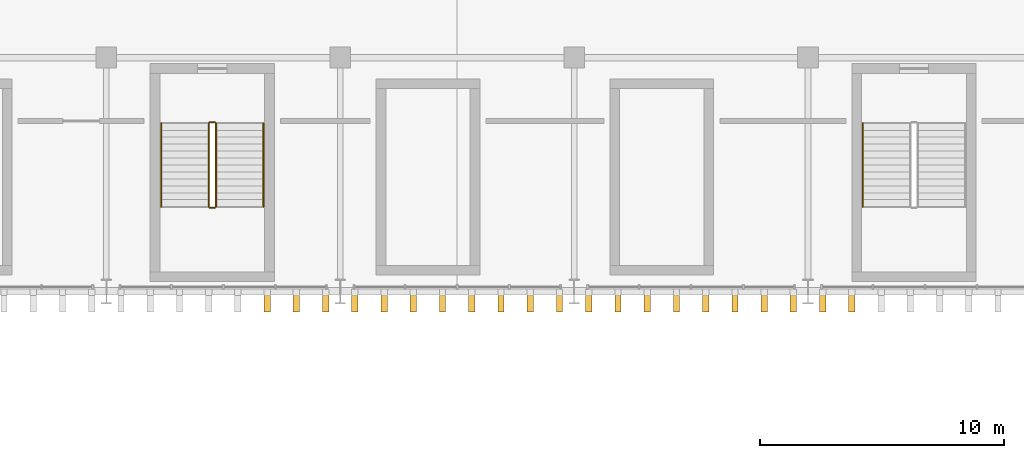
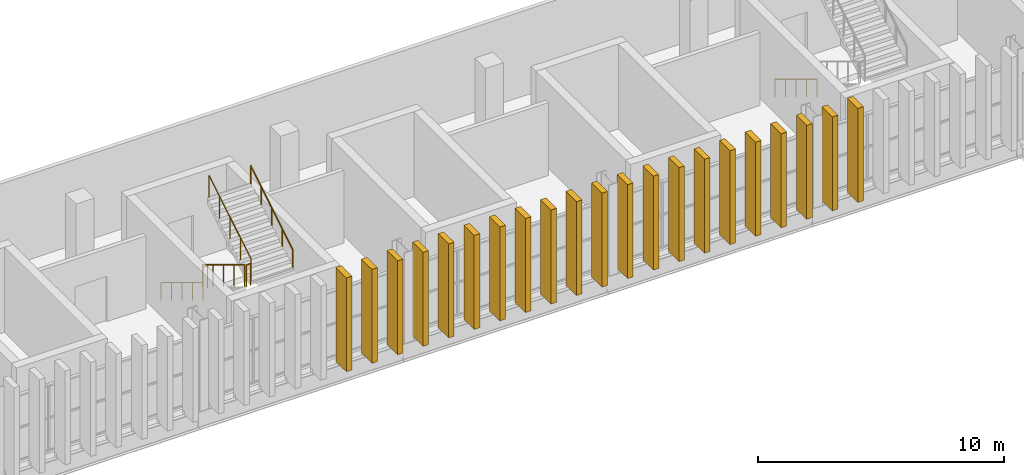
# One storey, part 77 of 92: 21 coverings, 7 railings.
"""IFC4 building model written with IfcOpenShell, lengths in metres."""

from ifc_helpers import new_model, si_unit, direction, frame, origin, origin_2d, place, context, subcontext, project, spatial, rectangle, circle, extrude, material, material_profile, profile_set, type_object, element, save


model = new_model("IFC4")

# Units and contexts
model_context = context("Model", 3, precision=1e-05, world=origin(), true_north=direction((0.0, 1.0)))
body_context = subcontext(model_context, "Body", "Model", "MODEL_VIEW")
ifc_project = project(units=[si_unit("LENGTHUNIT", "METRE"), si_unit("AREAUNIT", "SQUARE_METRE"), si_unit("VOLUMEUNIT", "CUBIC_METRE"), si_unit("PLANEANGLEUNIT", "RADIAN"), si_unit("MASSUNIT", "GRAM", prefix="KILO")], contexts=[model_context])

# Site, building, storey
site_placement = place(None, origin())
site = spatial("IfcSite", under=ifc_project, at=site_placement, CompositionType="ELEMENT")
building_placement = place(site_placement, origin())
building = spatial("IfcBuilding", under=site, at=building_placement, Name="Caelomonte Colonnade Arena", CompositionType="ELEMENT")
storey_placement = place(building_placement, frame((0.0, 0.0, 9.60009765625)))
storey = spatial("IfcBuildingStorey", under=building, at=storey_placement, Name="L02", CompositionType="ELEMENT", Elevation=9.60009765625)

# Coverings
ifc_material_1 = material(Name="Precast travertine cladding", Category="masonry")
ifc_material_profile = material_profile(ifc_material_1, rectangle(XDim=0.260009765625, YDim=0.85009765625, at=origin_2d()), Name="FIN260X850")
ifc_profile_set = profile_set([ifc_material_profile], Name="Precast travertine cladding")
covering_type = type_object("IfcCoveringType", Name="ENV-FN-SHAFT", PredefinedType="CLADDING", material=ifc_profile_set)
for number, where, z_axis, x_axis, name in (
    (1, (102.60009765625, 18.779052734375, -0.16015625), (0.0, 0.0, 1.0), (-1.0, 0.0, 0.0), "V1 L02 classical travertine vertical fin 259"),
    (2, (103.800048828125, 18.779052734375, -0.16015625), (0.0, 0.0, 1.0), (-1.0, 0.0, 0.0), "V1 L02 classical travertine vertical fin 260"),
    (3, (105.0, 18.779052734375, -0.16015625), (0.0, 0.0, 1.0), (-1.0, 0.0, 0.0), "V1 L02 classical travertine vertical fin 261"),
    (4, (106.199951171875, 18.779052734375, -0.16015625), (0.0, 0.0, 1.0), (-1.0, 0.0, 0.0), "V1 L02 classical travertine vertical fin 262"),
    (5, (107.39990234375, 18.779052734375, -0.16015625), (0.0, 0.0, 1.0), (-1.0, 0.0, 0.0), "V1 L02 classical travertine vertical fin 263"),
    (6, (108.60009765625, 18.779052734375, -0.16015625), (0.0, 0.0, 1.0), (-1.0, 0.0, 0.0), "V1 L02 classical travertine vertical fin 264"),
    (7, (109.800048828125, 18.779052734375, -0.16015625), (0.0, 0.0, 1.0), (-1.0, 0.0, 0.0), "V1 L02 classical travertine vertical fin 265"),
    (8, (111.0, 18.779052734375, -0.16015625), (0.0, 0.0, 1.0), (-1.0, 0.0, 0.0), "V1 L02 classical travertine vertical fin 266"),
    (9, (112.199951171875, 18.779052734375, -0.16015625), (0.0, 0.0, 1.0), (-1.0, 0.0, 0.0), "V1 L02 classical travertine vertical fin 267"),
    (10, (113.39990234375, 18.779052734375, -0.16015625), (0.0, 0.0, 1.0), (-1.0, 0.0, 0.0), "V1 L02 classical travertine vertical fin 268"),
    (11, (114.60009765625, 18.779052734375, -0.16015625), (0.0, 0.0, 1.0), (-1.0, 0.0, 0.0), "V1 L02 classical travertine vertical fin 269"),
    (12, (115.800048828125, 18.779052734375, -0.16015625), (0.0, 0.0, 1.0), (-1.0, 0.0, 0.0), "V1 L02 classical travertine vertical fin 270"),
    (13, (117.0, 18.779052734375, -0.16015625), (0.0, 0.0, 1.0), (-1.0, 0.0, 0.0), "V1 L02 classical travertine vertical fin 271"),
    (14, (118.199951171875, 18.779052734375, -0.16015625), (0.0, 0.0, 1.0), (-1.0, 0.0, 0.0), "V1 L02 classical travertine vertical fin 272"),
    (15, (119.39990234375, 18.779052734375, -0.16015625), (0.0, 0.0, 1.0), (-1.0, 0.0, 0.0), "V1 L02 classical travertine vertical fin 273"),
    (16, (120.60009765625, 18.779052734375, -0.16015625), (0.0, 0.0, 1.0), (-1.0, 0.0, 0.0), "V1 L02 classical travertine vertical fin 274"),
    (17, (121.800048828125, 18.779052734375, -0.16015625), (0.0, 0.0, 1.0), (-1.0, 0.0, 0.0), "V1 L02 classical travertine vertical fin 275"),
    (18, (123.0, 18.779052734375, -0.16015625), (0.0, 0.0, 1.0), (-1.0, 0.0, 0.0), "V1 L02 classical travertine vertical fin 276"),
    (19, (124.199951171875, 18.779052734375, -0.16015625), (0.0, 0.0, 1.0), (-1.0, 0.0, 0.0), "V1 L02 classical travertine vertical fin 277"),
    (20, (125.39990234375, 18.779052734375, -0.16015625), (0.0, 0.0, 1.0), (-1.0, 0.0, 0.0), "V1 L02 classical travertine vertical fin 278"),
    (21, (126.60009765625, 18.779052734375, -0.16015625), (0.0, 0.0, 1.0), (-1.0, 0.0, 0.0), "V1 L02 classical travertine vertical fin 279"),
):
    element("IfcCovering", number, at=place(storey_placement, frame(where, z_axis=z_axis, x_axis=x_axis)), inside=storey, type_object=covering_type, Name=name, PredefinedType="CLADDING", context=body_context, shape_type="SweptSolid", body=[
        extrude(rectangle(XDim=0.260009765625, YDim=0.85009765625, at=origin_2d()), origin(), (0.0, 0.0, 1.0), 4.66015625),
    ])

# Railings
ifc_material_2 = material(Name="Painted galvanized steel stair guard", Category="steel")
railing_type_1 = type_object("IfcRailingType", Name="INT-RL-GRD", PredefinedType="GUARDRAIL", material=ifc_material_2)
railing_1_placement = place(storey_placement, frame((100.199951171875, 26.10009765625, 0.173095703125)))
element("IfcRailing", 22, at=railing_1_placement, inside=storey, type_object=railing_type_1, Name="L02 ST-12 stair guard 1", PredefinedType="GUARDRAIL", context=body_context, shape_type="SweptSolid", body=[
    extrude(circle(Radius=0.02392578125, at=origin_2d()), frame((0.0, 0.0, 1.076171875), z_axis=(0.0, -0.854745945586, 0.519046595696), x_axis=(1.0, 0.0, 0.0)), (0.0, 0.0, 1.0), 4.00146484375),
    extrude(circle(Radius=0.02099609375, at=origin_2d()), origin(), (0.0, 0.0, 1.0), 1.048095703125),
    extrude(circle(Radius=0.02099609375, at=origin_2d()), frame((0.0, -0.85498046875, 0.519287109375)), (0.0, 0.0, 1.0), 1.048095703125),
    extrude(circle(Radius=0.02099609375, at=origin_2d()), frame((0.0, -1.7099609375, 1.03857421875)), (0.0, 0.0, 1.0), 1.048095703125),
    extrude(circle(Radius=0.02099609375, at=origin_2d()), frame((0.0, -2.565185546875, 1.5576171875)), (0.0, 0.0, 1.0), 1.048095703125),
    extrude(circle(Radius=0.02099609375, at=origin_2d()), frame((0.0, -3.420166015625, 2.076904296875)), (0.0, 0.0, 1.0), 1.048095703125),
])
railing_2_placement = place(storey_placement, frame((100.25, 22.6298828125, 2.25)))
element("IfcRailing", 23, at=railing_2_placement, inside=storey, type_object=railing_type_1, Name="L02 ST-12 stair guard 2", PredefinedType="GUARDRAIL", context=body_context, shape_type="SweptSolid", body=[
    extrude(circle(Radius=0.02392578125, at=origin_2d()), frame((0.0, 0.0, 1.076171875), z_axis=(1.0, 0.0, 0.0), x_axis=(0.0, 1.0, 0.0)), (0.0, 0.0, 1.0), 0.199951171875),
    extrude(circle(Radius=0.02099609375, at=origin_2d()), origin(), (0.0, 0.0, 1.0), 1.048095703125),
    extrude(circle(Radius=0.02099609375, at=origin_2d()), frame((0.199951171875, 0.0, 0.0)), (0.0, 0.0, 1.0), 1.048095703125),
])
railing_3_placement = place(storey_placement, frame((100.5, 22.679931640625, 2.423095703125)))
element("IfcRailing", 24, at=railing_3_placement, inside=storey, type_object=railing_type_1, Name="L02 ST-12 stair guard 3", PredefinedType="GUARDRAIL", context=body_context, shape_type="SweptSolid", body=[
    extrude(circle(Radius=0.02392578125, at=origin_2d()), frame((0.0, 0.0, 1.076171875), z_axis=(0.0, 0.854745945586, 0.519046595696), x_axis=(-1.0, 0.0, 0.0)), (0.0, 0.0, 1.0), 4.00146484375),
    extrude(circle(Radius=0.02099609375, at=origin_2d()), origin(), (0.0, 0.0, 1.0), 1.048095703125),
    extrude(circle(Radius=0.02099609375, at=origin_2d()), frame((0.0, 0.85498046875, 0.519287109375)), (0.0, 0.0, 1.0), 1.048095703125),
    extrude(circle(Radius=0.02099609375, at=origin_2d()), frame((0.0, 1.7099609375, 1.03857421875)), (0.0, 0.0, 1.0), 1.048095703125),
    extrude(circle(Radius=0.02099609375, at=origin_2d()), frame((0.0, 2.565185546875, 1.5576171875)), (0.0, 0.0, 1.0), 1.048095703125),
    extrude(circle(Radius=0.02099609375, at=origin_2d()), frame((0.0, 3.420166015625, 2.076904296875)), (0.0, 0.0, 1.0), 1.048095703125),
])
railing_4_placement = place(storey_placement, frame((100.25, 26.14990234375, 0.0)))
element("IfcRailing", 25, at=railing_4_placement, inside=storey, type_object=railing_type_1, Name="L02 ST-12 stair guard 4", PredefinedType="GUARDRAIL", context=body_context, shape_type="SweptSolid", body=[
    extrude(circle(Radius=0.02392578125, at=origin_2d()), frame((0.0, 0.0, 1.076171875), z_axis=(1.0, 0.0, 0.0), x_axis=(0.0, 1.0, 0.0)), (0.0, 0.0, 1.0), 0.199951171875),
    extrude(circle(Radius=0.02099609375, at=origin_2d()), origin(), (0.0, 0.0, 1.0), 1.048095703125),
    extrude(circle(Radius=0.02099609375, at=origin_2d()), frame((0.199951171875, 0.0, 0.0)), (0.0, 0.0, 1.0), 1.048095703125),
])
ifc_material_3 = material(Name="Brushed stainless steel stair handrail", Category="steel")
railing_type_2 = type_object("IfcRailingType", Name="INT-RL-HR", PredefinedType="HANDRAIL", material=ifc_material_3)
railing_5_placement = place(storey_placement, frame((98.25, 26.10009765625, 0.173095703125)))
element("IfcRailing", 26, at=railing_5_placement, inside=storey, type_object=railing_type_2, Name="L02 ST-12 stair handrail 1", PredefinedType="HANDRAIL", context=body_context, shape_type="SweptSolid", body=[
    extrude(circle(Radius=0.02392578125, at=origin_2d()), frame((0.0, 0.0, 0.8759765625), z_axis=(0.0, -0.854745945586, 0.519046595696), x_axis=(1.0, 0.0, 0.0)), (0.0, 0.0, 1.0), 4.00146484375),
    extrude(circle(Radius=0.02099609375, at=origin_2d()), origin(), (0.0, 0.0, 1.0), 0.847900390625),
    extrude(circle(Radius=0.02099609375, at=origin_2d()), frame((0.0, -0.85498046875, 0.519287109375)), (0.0, 0.0, 1.0), 0.847900390625),
    extrude(circle(Radius=0.02099609375, at=origin_2d()), frame((0.0, -1.7099609375, 1.03857421875)), (0.0, 0.0, 1.0), 0.847900390625),
    extrude(circle(Radius=0.02099609375, at=origin_2d()), frame((0.0, -2.565185546875, 1.5576171875)), (0.0, 0.0, 1.0), 0.847900390625),
    extrude(circle(Radius=0.02099609375, at=origin_2d()), frame((0.0, -3.420166015625, 2.076904296875)), (0.0, 0.0, 1.0), 0.847900390625),
])
railing_6_placement = place(storey_placement, frame((102.449951171875, 22.679931640625, 2.423095703125)))
element("IfcRailing", 27, at=railing_6_placement, inside=storey, type_object=railing_type_2, Name="L02 ST-12 stair handrail 2", PredefinedType="HANDRAIL", context=body_context, shape_type="SweptSolid", body=[
    extrude(circle(Radius=0.02392578125, at=origin_2d()), frame((0.0, 0.0, 0.8759765625), z_axis=(0.0, 0.854745945586, 0.519046595696), x_axis=(-1.0, 0.0, 0.0)), (0.0, 0.0, 1.0), 4.00146484375),
    extrude(circle(Radius=0.02099609375, at=origin_2d()), origin(), (0.0, 0.0, 1.0), 0.847900390625),
    extrude(circle(Radius=0.02099609375, at=origin_2d()), frame((0.0, 0.85498046875, 0.519287109375)), (0.0, 0.0, 1.0), 0.847900390625),
    extrude(circle(Radius=0.02099609375, at=origin_2d()), frame((0.0, 1.7099609375, 1.03857421875)), (0.0, 0.0, 1.0), 0.847900390625),
    extrude(circle(Radius=0.02099609375, at=origin_2d()), frame((0.0, 2.565185546875, 1.5576171875)), (0.0, 0.0, 1.0), 0.847900390625),
    extrude(circle(Radius=0.02099609375, at=origin_2d()), frame((0.0, 3.420166015625, 2.076904296875)), (0.0, 0.0, 1.0), 0.847900390625),
])
railing_7_placement = place(storey_placement, frame((127.050048828125, 26.10009765625, 0.173095703125)))
element("IfcRailing", 28, at=railing_7_placement, inside=storey, type_object=railing_type_2, Name="L02 ST-13 stair handrail 1", PredefinedType="HANDRAIL", context=body_context, shape_type="SweptSolid", body=[
    extrude(circle(Radius=0.02392578125, at=origin_2d()), frame((0.0, 0.0, 0.8759765625), z_axis=(0.0, -0.854745945586, 0.519046595696), x_axis=(1.0, 0.0, 0.0)), (0.0, 0.0, 1.0), 4.00146484375),
    extrude(circle(Radius=0.02099609375, at=origin_2d()), origin(), (0.0, 0.0, 1.0), 0.847900390625),
    extrude(circle(Radius=0.02099609375, at=origin_2d()), frame((0.0, -0.85498046875, 0.519287109375)), (0.0, 0.0, 1.0), 0.847900390625),
    extrude(circle(Radius=0.02099609375, at=origin_2d()), frame((0.0, -1.7099609375, 1.03857421875)), (0.0, 0.0, 1.0), 0.847900390625),
    extrude(circle(Radius=0.02099609375, at=origin_2d()), frame((0.0, -2.565185546875, 1.5576171875)), (0.0, 0.0, 1.0), 0.847900390625),
    extrude(circle(Radius=0.02099609375, at=origin_2d()), frame((0.0, -3.420166015625, 2.076904296875)), (0.0, 0.0, 1.0), 0.847900390625),
])

save(model, "model.ifc")
